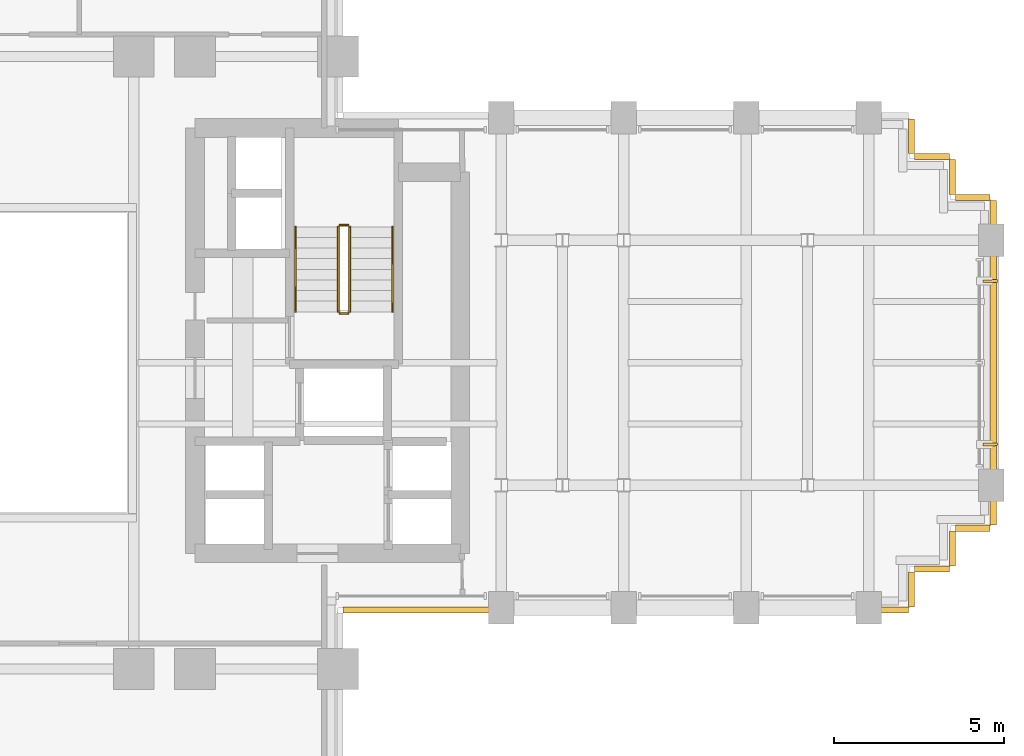
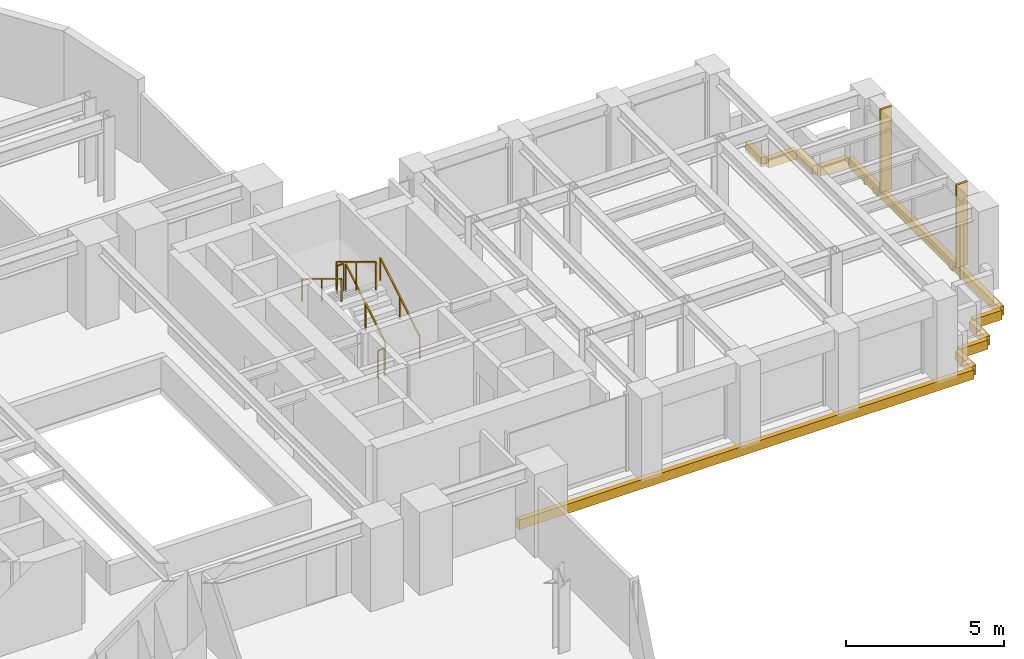
# One storey, part 15 of 16: 10 coverings, 6 railings, 2 shading devices.
"""IFC4 building model written with IfcOpenShell, lengths in metres."""

from ifc_helpers import new_model, si_unit, direction, frame, origin, origin_2d, place, context, subcontext, project, spatial, rectangle, extrude, source, transform, mapped, material, layer, layer_set, type_object, element, save


model = new_model("IFC4")

# Units and contexts
model_context = context("Model", 3, precision=1e-05, world=origin(), true_north=direction((0.0, 1.0)))
body_context = subcontext(model_context, "Body", "Model", "MODEL_VIEW")
ifc_project = project(units=[si_unit("LENGTHUNIT", "METRE"), si_unit("AREAUNIT", "SQUARE_METRE"), si_unit("VOLUMEUNIT", "CUBIC_METRE"), si_unit("PLANEANGLEUNIT", "RADIAN"), si_unit("MASSUNIT", "GRAM", prefix="KILO")], contexts=[model_context])

# Site, building, storey
site_placement = place(None, origin())
site = spatial("IfcSite", under=ifc_project, at=site_placement, CompositionType="ELEMENT")
building_placement = place(site_placement, origin())
building = spatial("IfcBuilding", under=site, at=building_placement, Name="Keilestroom Media Tower", CompositionType="ELEMENT")
storey_placement = place(building_placement, frame((0.0, 0.0, 30.60009765625)))
storey = spatial("IfcBuildingStorey", under=building, at=storey_placement, Name="L06", CompositionType="ELEMENT", Elevation=30.60009765625)

# Railings
ifc_material_1 = material(Name="Brushed Stainless Steel 1.4301", Category="steel")
railing_type_1 = type_object("IfcRailingType", Name="Stair-Pitch-Handrail-920", PredefinedType="HANDRAIL", material=ifc_material_1)
railing_1_placement = place(storey_placement, frame((11.2099609375, 1.5, 0.188720703125)))
element("IfcRailing", 1, at=railing_1_placement, inside=storey, type_object=railing_type_1, Name="L06 ST-2 stair handrail 1", PredefinedType="HANDRAIL", context=body_context, shape_type="SweptSolid", body=[
    extrude(rectangle(XDim=0.048095703125, YDim=0.048095703125, at=origin_2d()), frame((0.0, 0.0, 0.8759765625), z_axis=(0.0, 0.855433747314, 0.517912255074), x_axis=(-1.0, 0.0, 0.0)), (0.0, 0.0, 1.0), 2.91796875),
    extrude(rectangle(XDim=0.0419921875, YDim=0.0419921875, at=origin_2d()), origin(), (0.0, 0.0, 1.0), 0.84375),
    extrude(rectangle(XDim=0.0419921875, YDim=0.0419921875, at=origin_2d()), frame((0.0, 1.248046875, 0.755615234375)), (0.0, 0.0, 1.0), 0.84375),
    extrude(rectangle(XDim=0.0419921875, YDim=0.0419921875, at=origin_2d()), frame((0.0, 2.49609375, 1.51123046875)), (0.0, 0.0, 1.0), 0.84375),
])
railing_2_placement = place(storey_placement, frame((8.35009765625, 3.99609375, 1.888671875)))
element("IfcRailing", 2, at=railing_2_placement, inside=storey, type_object=railing_type_1, Name="L06 ST-2 stair handrail 2", PredefinedType="HANDRAIL", context=body_context, shape_type="SweptSolid", body=[
    extrude(rectangle(XDim=0.048095703125, YDim=0.048095703125, at=origin_2d()), frame((0.0, 0.0, 0.8759765625), z_axis=(0.0, -0.855433747314, 0.517912255074), x_axis=(1.0, 0.0, 0.0)), (0.0, 0.0, 1.0), 2.91796875),
    extrude(rectangle(XDim=0.0419921875, YDim=0.0419921875, at=origin_2d()), origin(), (0.0, 0.0, 1.0), 0.84375),
    extrude(rectangle(XDim=0.0419921875, YDim=0.0419921875, at=origin_2d()), frame((0.0, -1.248046875, 0.755615234375)), (0.0, 0.0, 1.0), 0.84375),
    extrude(rectangle(XDim=0.0419921875, YDim=0.0419921875, at=origin_2d()), frame((0.0, -2.49609375, 1.51123046875)), (0.0, 0.0, 1.0), 0.84375),
])
ifc_material_2 = material(Name="Painted Steel Balustrade", Category="steel")
railing_type_2 = type_object("IfcRailingType", Name="Stair-Well-And-Landing-Guard-1100", PredefinedType="GUARDRAIL", material=ifc_material_2)
railing_3_placement = place(storey_placement, frame((9.949951171875, 1.5, 0.188720703125)))
element("IfcRailing", 3, at=railing_3_placement, inside=storey, type_object=railing_type_2, Name="L06 ST-2 stair guard 1", PredefinedType="GUARDRAIL", context=body_context, shape_type="SweptSolid", body=[
    extrude(rectangle(XDim=0.048095703125, YDim=0.048095703125, at=origin_2d()), frame((0.0, 0.0, 1.076171875), z_axis=(0.0, 0.855433747314, 0.517912255074), x_axis=(-1.0, 0.0, 0.0)), (0.0, 0.0, 1.0), 2.91796875),
    extrude(rectangle(XDim=0.0419921875, YDim=0.0419921875, at=origin_2d()), origin(), (0.0, 0.0, 1.0), 1.0439453125),
    extrude(rectangle(XDim=0.0419921875, YDim=0.0419921875, at=origin_2d()), frame((0.0, 1.248046875, 0.755615234375)), (0.0, 0.0, 1.0), 1.0439453125),
    extrude(rectangle(XDim=0.0419921875, YDim=0.0419921875, at=origin_2d()), frame((0.0, 2.49609375, 1.51123046875)), (0.0, 0.0, 1.0), 1.0439453125),
])
railing_4_placement = place(storey_placement, frame((9.89990234375, 4.0458984375, 1.699951171875)))
element("IfcRailing", 4, at=railing_4_placement, inside=storey, type_object=railing_type_2, Name="L06 ST-2 stair guard 2", PredefinedType="GUARDRAIL", context=body_context, shape_type="SweptSolid", body=[
    extrude(rectangle(XDim=0.048095703125, YDim=0.048095703125, at=origin_2d()), frame((0.0, 0.0, 1.076171875), z_axis=(-1.0, 0.0, 0.0), x_axis=(0.0, -1.0, 0.0)), (0.0, 0.0, 1.0), 0.239990234375),
    extrude(rectangle(XDim=0.0419921875, YDim=0.0419921875, at=origin_2d()), origin(), (0.0, 0.0, 1.0), 1.0439453125),
    extrude(rectangle(XDim=0.0419921875, YDim=0.0419921875, at=origin_2d()), frame((-0.239990234375, 0.0, 0.0)), (0.0, 0.0, 1.0), 1.0439453125),
])
railing_5_placement = place(storey_placement, frame((9.610107421875, 3.99609375, 1.888671875)))
element("IfcRailing", 5, at=railing_5_placement, inside=storey, type_object=railing_type_2, Name="L06 ST-2 stair guard 3", PredefinedType="GUARDRAIL", context=body_context, shape_type="SweptSolid", body=[
    extrude(rectangle(XDim=0.048095703125, YDim=0.048095703125, at=origin_2d()), frame((0.0, 0.0, 1.076171875), z_axis=(0.0, -0.855433747314, 0.517912255074), x_axis=(1.0, 0.0, 0.0)), (0.0, 0.0, 1.0), 2.91796875),
    extrude(rectangle(XDim=0.0419921875, YDim=0.0419921875, at=origin_2d()), origin(), (0.0, 0.0, 1.0), 1.0439453125),
    extrude(rectangle(XDim=0.0419921875, YDim=0.0419921875, at=origin_2d()), frame((0.0, -1.248046875, 0.755615234375)), (0.0, 0.0, 1.0), 1.0439453125),
    extrude(rectangle(XDim=0.0419921875, YDim=0.0419921875, at=origin_2d()), frame((0.0, -2.49609375, 1.51123046875)), (0.0, 0.0, 1.0), 1.0439453125),
])
railing_6_placement = place(storey_placement, frame((9.89990234375, 1.449951171875, 0.0)))
element("IfcRailing", 6, at=railing_6_placement, inside=storey, type_object=railing_type_2, Name="L06 ST-2 stair guard 4", PredefinedType="GUARDRAIL", context=body_context, shape_type="SweptSolid", body=[
    extrude(rectangle(XDim=0.048095703125, YDim=0.048095703125, at=origin_2d()), frame((0.0, 0.0, 1.076171875), z_axis=(-1.0, 0.0, 0.0), x_axis=(0.0, -1.0, 0.0)), (0.0, 0.0, 1.0), 0.239990234375),
    extrude(rectangle(XDim=0.0419921875, YDim=0.0419921875, at=origin_2d()), origin(), (0.0, 0.0, 1.0), 1.0439453125),
    extrude(rectangle(XDim=0.0419921875, YDim=0.0419921875, at=origin_2d()), frame((-0.239990234375, 0.0, 0.0)), (0.0, 0.0, 1.0), 1.0439453125),
])

# Shading devices
ifc_material_3 = material(Name="Bronze Anodised Aluminium", Category="aluminium")
shading_device_type = type_object("IfcShadingDeviceType", Name="Facade-Vertical-Sunshade-Fin-SHD-1", PredefinedType="USERDEFINED", material=ifc_material_3)
shared_shape_1 = source(origin(), body_context, "Body", "SweptSolid", [
    extrude(rectangle(XDim=0.419921875, YDim=0.080078125, at=origin_2d()), origin(), (0.0, 0.0, 1.0), 3.199951171875),
])
for number, where, z_axis, x_axis, name in (
    (7, (28.77001953125, -2.39990234375, 0.0), (0.0, 0.0, 1.0), (0.999853726281, 0.017103392695, 0.0), "L06 Twisting Sunshade Fin SHD-1 003"),
    (8, (28.77001953125, 2.39990234375, 0.0), (0.0, 0.0, 1.0), (0.999853726281, 0.017103392695, 0.0), "L06 Twisting Sunshade Fin SHD-1 004"),
):
    element("IfcShadingDevice", number, at=place(storey_placement, frame(where, z_axis=z_axis, x_axis=x_axis)), inside=storey, type_object=shading_device_type, Name=name, ObjectType="SUNSHADE", PredefinedType="USERDEFINED", context=body_context, shape_type="MappedRepresentation", body=[
        mapped(shared_shape_1, transform((0.0, 0.0, 0.0), x_axis=(1.0, 0.0, 0.0), y_axis=(0.0, 1.0, 0.0), z_axis=(0.0, 0.0, 1.0), scale=1.0)),
    ])

# Coverings
ifc_material_4 = material(Name="Precast concrete C40/50", Category="concrete")
ifc_layer = layer(ifc_material_4, 0.1201171875)
ifc_layer_set = layer_set([ifc_layer], Name="Precast concrete C40/50")
covering_type = type_object("IfcCoveringType", Name="Exterior-Precast-Spandrel-Cladding-Panel-120", PredefinedType="CLADDING", material=ifc_layer_set)
shared_shape_2 = source(origin(), body_context, "Body", "SweptSolid", [
    extrude(rectangle(XDim=1.02001953125, YDim=0.179931640625, at=origin_2d()), origin(), (0.0, 0.0, 1.0), 0.360107421875),
])
for number, where, z_axis, x_axis, name in (
    (9, (28.260009765625, -4.860107421875, -0.5400390625), (0.0, 0.0, 1.0), (-1.0, 0.0, 0.0), "L06 Precast Slab-Edge Fascia Cornice 01"),
    (10, (27.659912109375, -5.4599609375, -0.5400390625), (0.0, 0.0, 1.0), (0.0, -1.0, 0.0), "L06 Precast Slab-Edge Fascia Cornice 02"),
    (11, (27.06005859375, -6.06005859375, -0.5400390625), (0.0, 0.0, 1.0), (-1.0, 0.0, 0.0), "L06 Precast Slab-Edge Fascia Cornice 03"),
    (12, (26.4599609375, -6.659912109375, -0.5400390625), (0.0, 0.0, 1.0), (0.0, -1.0, 0.0), "L06 Precast Slab-Edge Fascia Cornice 04"),
    (13, (26.4599609375, 6.659912109375, -0.5400390625), (0.0, 0.0, 1.0), (0.0, -1.0, 0.0), "L06 Precast Slab-Edge Fascia Cornice 38"),
    (14, (27.06005859375, 6.06005859375, -0.5400390625), (0.0, 0.0, 1.0), (1.0, 0.0, 0.0), "L06 Precast Slab-Edge Fascia Cornice 39"),
    (15, (27.659912109375, 5.4599609375, -0.5400390625), (0.0, 0.0, 1.0), (0.0, -1.0, 0.0), "L06 Precast Slab-Edge Fascia Cornice 40"),
    (16, (28.260009765625, 4.860107421875, -0.5400390625), (0.0, 0.0, 1.0), (1.0, 0.0, 0.0), "L06 Precast Slab-Edge Fascia Cornice 41"),
):
    element("IfcCovering", number, at=place(storey_placement, frame(where, z_axis=z_axis, x_axis=x_axis)), inside=storey, type_object=covering_type, Name=name, PredefinedType="CLADDING", context=body_context, shape_type="MappedRepresentation", body=[
        mapped(shared_shape_2, transform((0.0, 0.0, 0.0), x_axis=(1.0, 0.0, 0.0), y_axis=(0.0, 1.0, 0.0), z_axis=(0.0, 0.0, 1.0), scale=1.0)),
    ])
shared_shape_3 = source(origin(), body_context, "Body", "SweptSolid", [
    extrude(rectangle(XDim=16.6201171875, YDim=0.179931640625, at=origin_2d()), origin(), (0.0, 0.0, 1.0), 0.360107421875),
])
covering_1_placement = place(storey_placement, frame((18.06005859375, -7.260009765625, -0.5400390625), z_axis=(0.0, 0.0, 1.0), x_axis=(-1.0, 0.0, 0.0)))
element("IfcCovering", 17, at=covering_1_placement, inside=storey, type_object=covering_type, Name="L06 Precast Slab-Edge Fascia Cornice 05", PredefinedType="CLADDING", context=body_context, shape_type="MappedRepresentation", body=[
    mapped(shared_shape_3, transform((0.0, 0.0, 0.0), x_axis=(1.0, 0.0, 0.0), y_axis=(0.0, 1.0, 0.0), z_axis=(0.0, 0.0, 1.0), scale=1.0)),
])
shared_shape_4 = source(origin(), body_context, "Body", "SweptSolid", [
    extrude(rectangle(XDim=9.5400390625, YDim=0.179931640625, at=origin_2d()), origin(), (0.0, 0.0, 1.0), 0.360107421875),
])
covering_2_placement = place(storey_placement, frame((28.860107421875, 0.0, -0.5400390625), z_axis=(0.0, 0.0, 1.0), x_axis=(0.0, -1.0, 0.0)))
element("IfcCovering", 18, at=covering_2_placement, inside=storey, type_object=covering_type, Name="L06 Precast Slab-Edge Fascia Cornice 42", PredefinedType="CLADDING", context=body_context, shape_type="MappedRepresentation", body=[
    mapped(shared_shape_4, transform((0.0, 0.0, 0.0), x_axis=(1.0, 0.0, 0.0), y_axis=(0.0, 1.0, 0.0), z_axis=(0.0, 0.0, 1.0), scale=1.0)),
])

save(model, "model.ifc")
